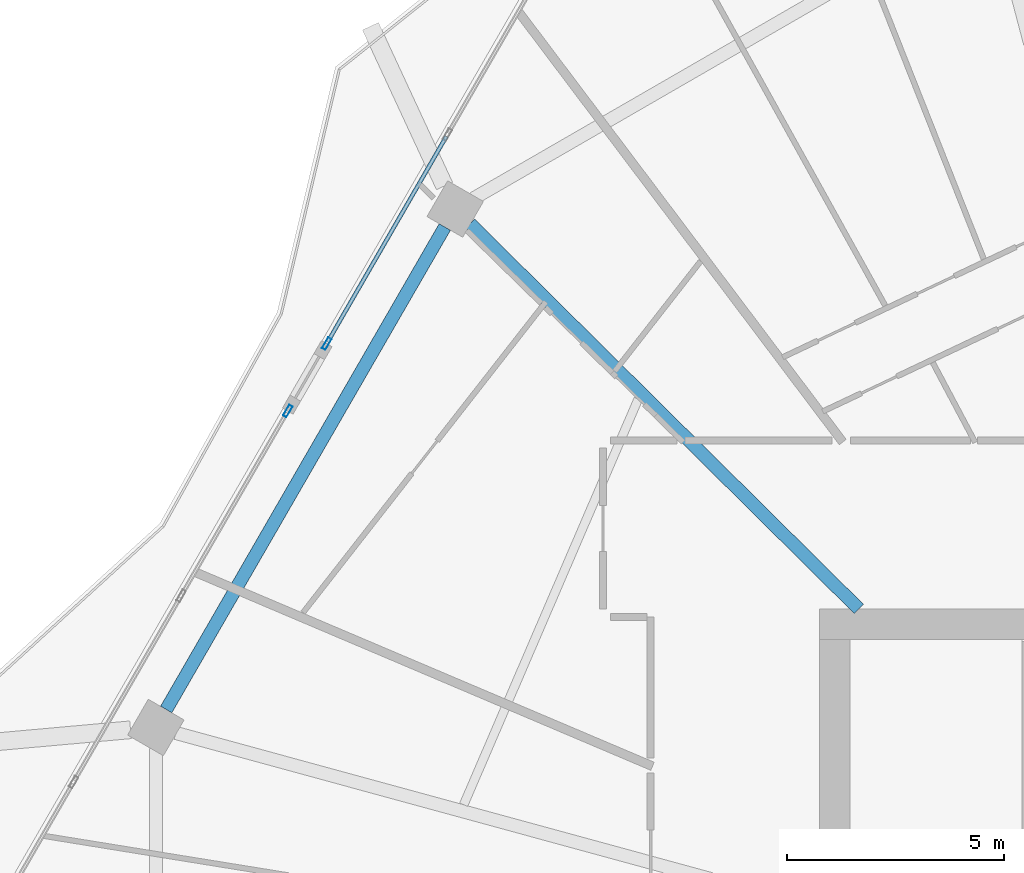
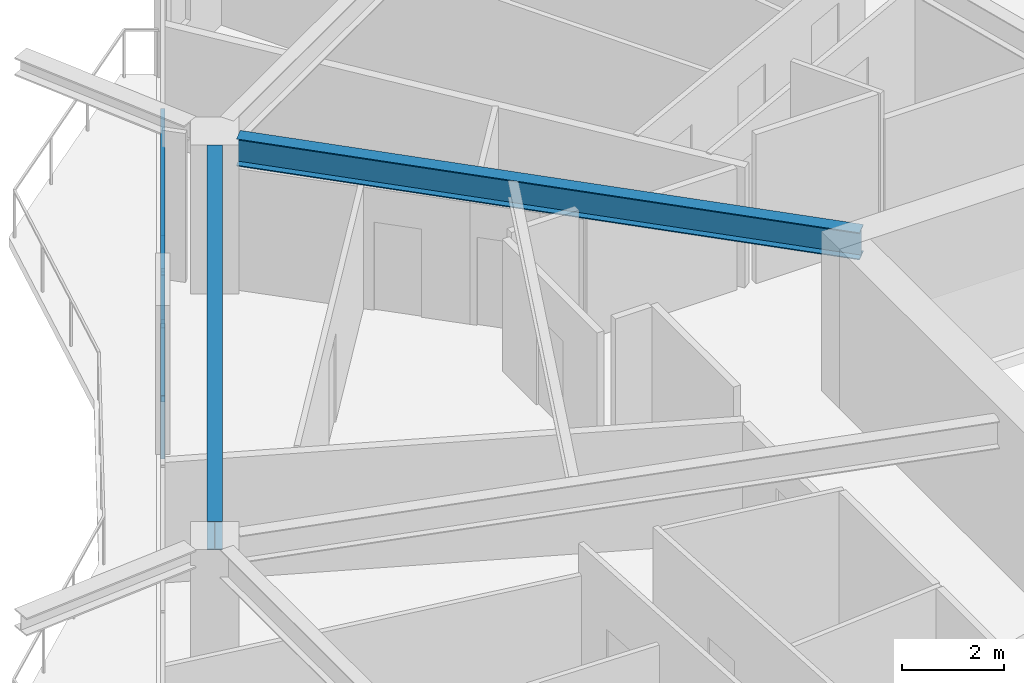
# One storey, part 11 of 27: 4 members, 2 beams, 2 elements without a shape of their own.
"""IFC4 building model written with IfcOpenShell, lengths in metres."""

from ifc_helpers import new_model, si_unit, direction, frame, origin, origin_2d, place, context, subcontext, project, spatial, hollow_rectangle, i_section, extrude, material, material_profile, profile_set, type_object, element, aggregate, save


model = new_model("IFC4")

# Units and contexts
model_context = context("Model", 3, precision=1e-05, world=origin(), true_north=direction((0.0, 1.0)))
body_context = subcontext(model_context, "Body", "Model", "MODEL_VIEW")
ifc_project = project(units=[si_unit("LENGTHUNIT", "METRE"), si_unit("AREAUNIT", "SQUARE_METRE"), si_unit("VOLUMEUNIT", "CUBIC_METRE"), si_unit("PLANEANGLEUNIT", "RADIAN"), si_unit("MASSUNIT", "GRAM", prefix="KILO")], contexts=[model_context])

# Site, building, storey
site_placement = place(None, origin())
site = spatial("IfcSite", under=ifc_project, at=site_placement, CompositionType="ELEMENT")
building_placement = place(site_placement, origin())
building = spatial("IfcBuilding", under=site, at=building_placement, Name="Zuhravey Tower", CompositionType="ELEMENT")
storey_placement = place(building_placement, frame((0.0, 0.0, 188.39990234375)))
storey = spatial("IfcBuildingStorey", under=building, at=storey_placement, Name="L47", CompositionType="ELEMENT", Elevation=188.39990234375)

# Curtain wall, member
ifc_material_1 = material(Name="Thermally broken anodised aluminium", Category="aluminium")
curtain_wall_type = type_object("IfcCurtainWallType", Name="Zone 1-2 Residential Curtain Wall CW3", PredefinedType="NOTDEFINED", material=ifc_material_1)
curtain_wall_1_placement = place(storey_placement, origin())
curtain_wall_1 = element("IfcCurtainWall", 1, at=curtain_wall_1_placement, inside=storey, type_object=curtain_wall_type, Name="L47 CW3 CW-L47-F3-1", PredefinedType="NOTDEFINED")
ifc_material_2 = material(Name="Anodised aluminium", Category="aluminium")
ifc_material_profile_1 = material_profile(ifc_material_2, hollow_rectangle(XDim=0.090087890625, YDim=0.284912109375, WallThickness=0.0048828125, at=origin_2d()), Name="ALU-RHS-90x285x5")
ifc_profile_set_1 = profile_set([ifc_material_profile_1], Name="Anodised aluminium")
member_type_1 = type_object("IfcMemberType", Name="Curtain-Wall Mullion 90x180", PredefinedType="MULLION", material=ifc_profile_set_1)
member_1_placement = place(storey_placement, frame((12.92626953125, 46.4013671875, 0.0), z_axis=(0.0, 0.0, 1.0), x_axis=(-0.866026141211, 0.499998722737, 0.0)))
member_1 = element("IfcMember", 2, at=member_1_placement, type_object=member_type_1, Name="CW3 mullion 4", PredefinedType="MULLION", context=body_context, shape_type="SweptSolid", body=[
    extrude(hollow_rectangle(XDim=0.090087890625, YDim=0.284912109375, WallThickness=0.0048828125, at=origin_2d()), origin(), (0.0, 0.0, 1.0), 3.1220703125),
])
aggregate(curtain_wall_1, [member_1])

# Curtain wall, members
curtain_wall_2_placement = place(storey_placement, origin())
curtain_wall_2 = element("IfcCurtainWall", 3, at=curtain_wall_2_placement, inside=storey, type_object=curtain_wall_type, Name="L47 CW3 CW-L47-F3-2", PredefinedType="NOTDEFINED")
member_2_placement = place(storey_placement, frame((13.8212890625, 47.95166015625, 0.0), z_axis=(0.0, 0.0, 1.0), x_axis=(-0.866024732111, 0.50000116337, 0.0)))
member_2 = element("IfcMember", 4, at=member_2_placement, type_object=member_type_1, Name="CW3 mullion 1", PredefinedType="MULLION", context=body_context, shape_type="SweptSolid", body=[
    extrude(hollow_rectangle(XDim=0.090087890625, YDim=0.284912109375, WallThickness=0.0048828125, at=origin_2d()), origin(), (0.0, 0.0, 1.0), 3.1220703125),
])
ifc_material_profile_2 = material_profile(ifc_material_2, hollow_rectangle(XDim=0.090087890625, YDim=0.14990234375, WallThickness=0.0048828125, at=origin_2d()), Name="ALU-RHS-90x150x5")
ifc_profile_set_2 = profile_set([ifc_material_profile_2], Name="Anodised aluminium")
member_type_2 = type_object("IfcMemberType", Name="Curtain-Wall Transom 90x150", PredefinedType="USERDEFINED", material=ifc_profile_set_2)
member_3_placement = place(storey_placement, frame((13.84375, 47.990478515625, 0.045166015625), z_axis=(0.500003946727, 0.866023125129, 0.0), x_axis=(-0.866023125129, 0.500003946727, 0.0)))
member_3 = element("IfcMember", 5, at=member_3_placement, type_object=member_type_2, Name="CW3 transom 1.1", ObjectType="TRANSOM", PredefinedType="USERDEFINED", context=body_context, shape_type="SweptSolid", body=[
    extrude(hollow_rectangle(XDim=0.090087890625, YDim=0.14990234375, WallThickness=0.0048828125, at=origin_2d()), origin(), (0.0, 0.0, 1.0), 5.45556640625),
])
member_4_placement = place(storey_placement, frame((13.84375, 47.990478515625, 3.0771484375), z_axis=(0.500003946727, 0.866023125129, 0.0), x_axis=(-0.866023125129, 0.500003946727, 0.0)))
member_4 = element("IfcMember", 6, at=member_4_placement, type_object=member_type_2, Name="CW3 transom 1.2", ObjectType="TRANSOM", PredefinedType="USERDEFINED", context=body_context, shape_type="SweptSolid", body=[
    extrude(hollow_rectangle(XDim=0.090087890625, YDim=0.14990234375, WallThickness=0.0048828125, at=origin_2d()), origin(), (0.0, 0.0, 1.0), 5.45556640625),
])
aggregate(curtain_wall_2, [member_2, member_3, member_4])

# Beams
ifc_material_3 = material(Name="Steel SM355", Category="steel")
ifc_material_profile_3 = material_profile(ifc_material_3, i_section(OverallWidth=0.300048828125, OverallDepth=0.679931640625, WebThickness=0.012939453125, FlangeThickness=0.02197265625, at=origin_2d()), Name="H-680x300x13x22")
ifc_profile_set_3 = profile_set([ifc_material_profile_3], Name="Steel SM355")
beam_type_1 = type_object("IfcBeamType", Name="Perimeter Ring Beam H680x300", PredefinedType="BEAM", material=ifc_profile_set_3)
beam_1_placement = place(storey_placement, frame((16.535400390625, 50.632568359375, 3.210205078125), z_axis=(-0.500003505699, -0.866023379758, 0.0), x_axis=(0.866023379758, -0.500003505699, 0.0)))
element("IfcBeam", 7, at=beam_1_placement, inside=storey, type_object=beam_type_1, Name="L47 PB2 BM-L47-PB-05", PredefinedType="BEAM", context=body_context, shape_type="SweptSolid", body=[
    extrude(i_section(OverallWidth=0.300048828125, OverallDepth=0.679931640625, WebThickness=0.012939453125, FlangeThickness=0.02197265625, at=origin_2d()), origin(), (0.0, 0.0, 1.0), 12.80810546875),
])
ifc_material_profile_4 = material_profile(ifc_material_3, i_section(OverallWidth=0.300048828125, OverallDepth=0.64990234375, WebThickness=0.012939453125, FlangeThickness=0.02197265625, at=origin_2d()), Name="H-650x300x13x22")
ifc_profile_set_4 = profile_set([ifc_material_profile_4], Name="Steel SM355")
beam_type_2 = type_object("IfcBeamType", Name="Radial Primary Girder H650x300", PredefinedType="BEAM", material=ifc_profile_set_4)
beam_2_placement = place(storey_placement, frame((26.054443359375, 41.85302734375, 3.22509765625), z_axis=(-0.710406645816, 0.703791444663, 0.0), x_axis=(-0.703791444663, -0.710406645816, 0.0)))
element("IfcBeam", 8, at=beam_2_placement, inside=storey, type_object=beam_type_2, Name="L47 RG2 BM-L47-RAD-05", PredefinedType="BEAM", context=body_context, shape_type="SweptSolid", body=[
    extrude(i_section(OverallWidth=0.300048828125, OverallDepth=0.64990234375, WebThickness=0.012939453125, FlangeThickness=0.02197265625, at=origin_2d()), origin(), (0.0, 0.0, 1.0), 12.5849609375),
])

save(model, "model.ifc")
